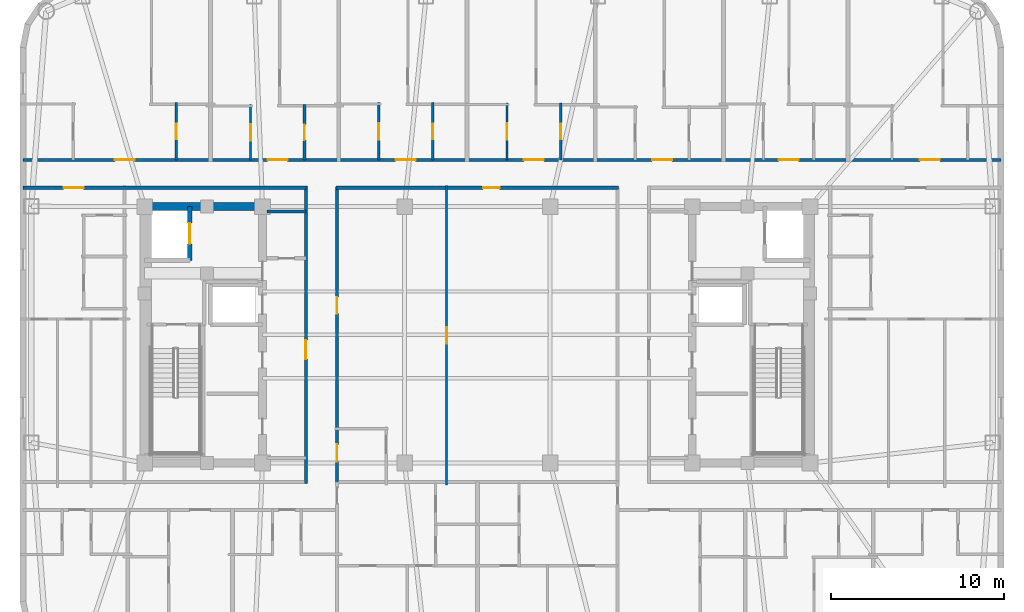
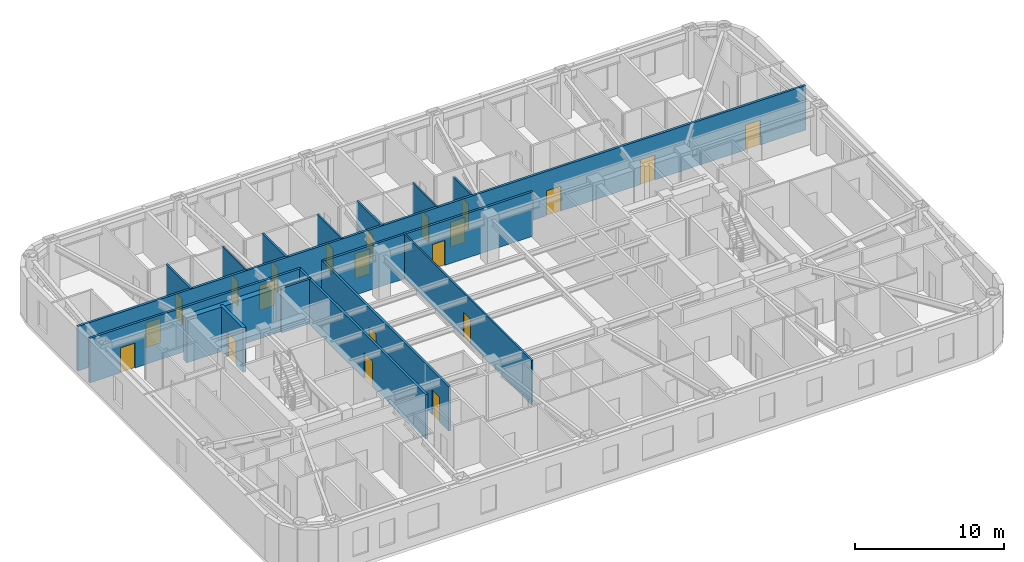
# One storey, part 5 of 11: 21 doors, 16 walls, 21 openings.
"""IFC4 building model written with IfcOpenShell, lengths in metres."""

from ifc_helpers import new_model, si_unit, direction, frame, frame_2d, origin, place, context, subcontext, project, spatial, rectangle, extrude, material, layer, layer_set, type_object, element, fill, save


model = new_model("IFC4")

# Units and contexts
model_context = context("Model", 3, precision=1e-05, world=origin(), true_north=direction((0.0, 1.0)))
body_context = subcontext(model_context, "Body", "Model", "MODEL_VIEW")
ifc_project = project(units=[si_unit("LENGTHUNIT", "METRE"), si_unit("AREAUNIT", "SQUARE_METRE"), si_unit("VOLUMEUNIT", "CUBIC_METRE"), si_unit("PLANEANGLEUNIT", "RADIAN"), si_unit("MASSUNIT", "GRAM", prefix="KILO")], contexts=[model_context])

# Site, building, storey
site_placement = place(None, origin())
site = spatial("IfcSite", under=ifc_project, at=site_placement, CompositionType="ELEMENT")
building_placement = place(site_placement, origin())
building = spatial("IfcBuilding", under=site, at=building_placement, Name="Voryun Gate Residences", CompositionType="ELEMENT")
storey_placement = place(building_placement, frame((0.0, 0.0, 235.300048828125)))
storey = spatial("IfcBuildingStorey", under=building, at=storey_placement, Name="L58", CompositionType="ELEMENT", Elevation=235.300048828125)

# Walls
ifc_material_1 = material(Name="Concrete C50/60", Category="concrete")
ifc_layer_1 = layer(ifc_material_1, 0.449951171875, Name="CW_CORE_450")
ifc_layer_set_1 = layer_set([ifc_layer_1], Name="Concrete C50/60")
wall_type_1 = type_object("IfcWallType", Name="CW_CORE_450", PredefinedType="SHEAR", material=ifc_layer_set_1)
wall_1_placement = place(storey_placement, frame((-19.425048828125, 7.39990234375, 0.0), z_axis=(0.0, 0.0, 1.0), x_axis=(1.0, 0.0, 0.0)))
element("IfcWall", 1, at=wall_1_placement, inside=storey, type_object=wall_type_1, Name="L58 Core shear wall CW-L58-WN", PredefinedType="SHEAR", context=body_context, shape_type="SweptSolid", body=[
    extrude(rectangle(XDim=7.25, YDim=0.449951171875, at=frame_2d((3.625, 0.0))), origin(), (0.0, 0.0, 1.0), 3.64990234375),
])
ifc_material_2 = material(Name="Gypsum acoustic fireboard")
ifc_layer_2 = layer(ifc_material_2, 0.179931640625, Name="W_CORR_RATED_180")
ifc_layer_set_2 = layer_set([ifc_layer_2], Name="Gypsum acoustic fireboard")
wall_type_2 = type_object("IfcWallType", Name="W_CORR_RATED_180", PredefinedType="PARTITIONING", material=ifc_layer_set_2)
wall_2_placement = place(storey_placement, frame((-12.14990234375, 7.1201171875, 0.0), z_axis=(0.0, 0.0, 1.0), x_axis=(1.0, 0.0, 0.0)))
element("IfcWall", 2, at=wall_2_placement, inside=storey, type_object=wall_type_2, Name="Partition wall WP-L58-PLBN-W", PredefinedType="PARTITIONING", context=body_context, shape_type="SweptSolid", body=[
    extrude(rectangle(XDim=2.27001953125, YDim=0.179931640625, at=frame_2d((1.135009765625, 0.0))), origin(), (0.0, 0.0, 1.0), 3.64990234375),
])

# Wall, opening, door
wall_3_placement = place(storey_placement, frame((-9.89990234375, -8.580078125, 0.0), z_axis=(0.0, 0.0, 1.0), x_axis=(0.0, 1.0, 0.0)))
wall_3 = element("IfcWall", 3, at=wall_3_placement, inside=storey, type_object=wall_type_2, Name="Partition wall WP-L58-PLBW-FULL", PredefinedType="PARTITIONING", context=body_context, shape_type="SweptSolid", body=[
    extrude(rectangle(XDim=17.16015625, YDim=0.179931640625, at=frame_2d((8.580078125, 0.0))), origin(), (0.0, 0.0, 1.0), 3.64990234375),
])
opening_1_placement = place(wall_3_placement, frame((7.172119140625, 0.0, 0.0)))
opening_1 = element("IfcOpeningElement", 4, at=opening_1_placement, cuts=wall_3, Name="Opening D-FD60-2", PredefinedType="OPENING", context=body_context, shape_type="SweptSolid", body=[
    extrude(rectangle(XDim=1.10009765625, YDim=2.050048828125, at=frame_2d((0.550048828125, 1.02490234375))), frame((0.0, 0.099853515625, 0.0), z_axis=(0.0, -1.0, 0.0), x_axis=(1.0, 0.0, 0.0)), (0.0, 0.0, 1.0), 0.199951171875),
])
ifc_material_3 = material(Name="Painted steel fire door", Category="steel")
door_type_1 = type_object("IfcDoorType", Name="DR_FD60_FFLOB_1100", OperationType="NOTDEFINED", PredefinedType="DOOR", material=ifc_material_3)
door_1_placement = place(opening_1_placement, origin())
door_1 = element("IfcDoor", 5, at=door_1_placement, inside=storey, type_object=door_type_1, Name="Door DR-L58-PLBW-COR", OperationType="SINGLE_SWING_LEFT", OverallHeight=2.050048828125, OverallWidth=1.10009765625, PredefinedType="DOOR", context=body_context, shape_type="SweptSolid", body=[
    extrude(rectangle(XDim=1.10009765625, YDim=2.050048828125, at=frame_2d((0.550048828125, 1.02490234375))), frame((0.0, 0.02490234375, 0.0), z_axis=(0.0, -1.0, 0.0), x_axis=(1.0, 0.0, 0.0)), (0.0, 0.0, 1.0), 0.050048828125),
])
fill(opening_1, door_1)

wall_4_placement = place(storey_placement, frame((-26.22998046875, 8.489990234375, 0.0), z_axis=(0.0, 0.0, 1.0), x_axis=(1.0, 0.0, 0.0)))
wall_4 = element("IfcWall", 6, at=wall_4_placement, inside=storey, type_object=wall_type_2, Name="Partition wall WP-L58-CWING-WN", PredefinedType="PARTITIONING", context=body_context, shape_type="SweptSolid", body=[
    extrude(rectangle(XDim=16.35009765625, YDim=0.179931640625, at=frame_2d((8.175048828125, 0.0))), origin(), (0.0, 0.0, 1.0), 3.64990234375),
])
opening_2_placement = place(wall_4_placement, frame((2.35009765625, 0.0, 0.0)))
opening_2 = element("IfcOpeningElement", 7, at=opening_2_placement, cuts=wall_4, Name="Opening D-UNIT-1", PredefinedType="OPENING", context=body_context, shape_type="SweptSolid", body=[
    extrude(rectangle(XDim=1.14990234375, YDim=2.050048828125, at=frame_2d((0.574951171875, 1.02490234375))), frame((0.0, 0.099853515625, 0.0), z_axis=(0.0, -1.0, 0.0), x_axis=(1.0, 0.0, 0.0)), (0.0, 0.0, 1.0), 0.199951171875),
])
ifc_material_4 = material(Name="Armoured timber-clad fire door", Category="wood")
door_type_2 = type_object("IfcDoorType", Name="DR_UNIT_ENTRY_1150", OperationType="NOTDEFINED", PredefinedType="DOOR", material=ifc_material_4)
door_2_placement = place(opening_2_placement, origin())
door_2 = element("IfcDoor", 8, at=door_2_placement, inside=storey, type_object=door_type_2, Name="Door DR-L58-WE1N", OperationType="SINGLE_SWING_LEFT", OverallHeight=2.050048828125, OverallWidth=1.14990234375, PredefinedType="DOOR", context=body_context, shape_type="SweptSolid", body=[
    extrude(rectangle(XDim=1.14990234375, YDim=2.050048828125, at=frame_2d((0.574951171875, 1.02490234375))), frame((0.0, 0.02490234375, 0.0), z_axis=(0.0, -1.0, 0.0), x_axis=(1.0, 0.0, 0.0)), (0.0, 0.0, 1.0), 0.050048828125),
])
fill(opening_2, door_2)

wall_5_placement = place(storey_placement, frame((-8.14990234375, 8.489990234375, 0.0), z_axis=(0.0, 0.0, 1.0), x_axis=(1.0, 0.0, 0.0)))
wall_5 = element("IfcWall", 9, at=wall_5_placement, inside=storey, type_object=wall_type_2, Name="Partition wall WP-L58-Z3N", PredefinedType="PARTITIONING", context=body_context, shape_type="SweptSolid", body=[
    extrude(rectangle(XDim=16.2998046875, YDim=0.179931640625, at=frame_2d((8.14990234375, 0.0))), origin(), (0.0, 0.0, 1.0), 3.64990234375),
])
opening_3_placement = place(wall_5_placement, frame((8.489990234375, 0.0, 0.0)))
opening_3 = element("IfcOpeningElement", 10, at=opening_3_placement, cuts=wall_5, Name="Opening D-INT-1", PredefinedType="OPENING", context=body_context, shape_type="SweptSolid", body=[
    extrude(rectangle(XDim=0.949951171875, YDim=2.050048828125, at=frame_2d((0.47509765625, 1.02490234375))), frame((0.0, 0.099853515625, 0.0), z_axis=(0.0, -1.0, 0.0), x_axis=(1.0, 0.0, 0.0)), (0.0, 0.0, 1.0), 0.199951171875),
])
ifc_material_5 = material(Name="Architectural oak veneer")
door_type_3 = type_object("IfcDoorType", Name="DR_INT_ROOM_950", OperationType="NOTDEFINED", PredefinedType="DOOR", material=ifc_material_5)
door_3_placement = place(opening_3_placement, origin())
door_3 = element("IfcDoor", 11, at=door_3_placement, inside=storey, type_object=door_type_3, Name="Door DR-L58-CMIDZ3N", OperationType="SINGLE_SWING_LEFT", OverallHeight=2.050048828125, OverallWidth=0.949951171875, PredefinedType="DOOR", context=body_context, shape_type="SweptSolid", body=[
    extrude(rectangle(XDim=0.949951171875, YDim=2.050048828125, at=frame_2d((0.47509765625, 1.02490234375))), frame((0.0, 0.02490234375, 0.0), z_axis=(0.0, -1.0, 0.0), x_axis=(1.0, 0.0, 0.0)), (0.0, 0.0, 1.0), 0.050048828125),
])
fill(opening_3, door_3)

# Wall, openings, doors
wall_6_placement = place(storey_placement, frame((-8.10009765625, -8.530029296875, 0.0), z_axis=(0.0, 0.0, 1.0), x_axis=(0.0, 1.0, 0.0)))
wall_6 = element("IfcWall", 12, at=wall_6_placement, inside=storey, type_object=wall_type_2, Name="Partition wall WP-L58-Z3W", PredefinedType="PARTITIONING", context=body_context, shape_type="SweptSolid", body=[
    extrude(rectangle(XDim=17.06005859375, YDim=0.179931640625, at=frame_2d((8.530029296875, 0.0))), origin(), (0.0, 0.0, 1.0), 3.64990234375),
])
opening_4_placement = place(wall_6_placement, frame((1.2060546875, 0.0, 0.0)))
opening_4 = element("IfcOpeningElement", 13, at=opening_4_placement, cuts=wall_6, Name="Opening D-AWC-1", PredefinedType="OPENING", context=body_context, shape_type="SweptSolid", body=[
    extrude(rectangle(XDim=1.0, YDim=2.050048828125, at=frame_2d((0.5, 1.02490234375))), frame((0.0, 0.099853515625, 0.0), z_axis=(0.0, -1.0, 0.0), x_axis=(1.0, 0.0, 0.0)), (0.0, 0.0, 1.0), 0.199951171875),
])
opening_5_placement = place(wall_6_placement, frame((9.760986328125, 0.0, 0.0)))
opening_5 = element("IfcOpeningElement", 14, at=opening_5_placement, cuts=wall_6, Name="Opening D-INT-1", PredefinedType="OPENING", context=body_context, shape_type="SweptSolid", body=[
    extrude(rectangle(XDim=0.949951171875, YDim=2.050048828125, at=frame_2d((0.47509765625, 1.02490234375))), frame((0.0, 0.099853515625, 0.0), z_axis=(0.0, -1.0, 0.0), x_axis=(1.0, 0.0, 0.0)), (0.0, 0.0, 1.0), 0.199951171875),
])
ifc_material_6 = material(Name="Architectural oak veneer")
door_type_4 = type_object("IfcDoorType", Name="DR_ACC_WC_1000", OperationType="NOTDEFINED", PredefinedType="DOOR", material=ifc_material_6)
door_4_placement = place(opening_4_placement, origin())
door_4 = element("IfcDoor", 15, at=door_4_placement, inside=storey, type_object=door_type_4, Name="Door DR-L58-CMWC-D", OperationType="SINGLE_SWING_LEFT", OverallHeight=2.050048828125, OverallWidth=1.0, PredefinedType="DOOR", context=body_context, shape_type="SweptSolid", body=[
    extrude(rectangle(XDim=1.0, YDim=2.050048828125, at=frame_2d((0.5, 1.02490234375))), frame((0.0, 0.02490234375, 0.0), z_axis=(0.0, -1.0, 0.0), x_axis=(1.0, 0.0, 0.0)), (0.0, 0.0, 1.0), 0.050048828125),
])
fill(opening_4, door_4)
door_5_placement = place(opening_5_placement, origin())
door_5 = element("IfcDoor", 16, at=door_5_placement, inside=storey, type_object=door_type_3, Name="Door DR-L58-CMIDZ3W", OperationType="SINGLE_SWING_RIGHT", OverallHeight=2.050048828125, OverallWidth=0.949951171875, PredefinedType="DOOR", context=body_context, shape_type="SweptSolid", body=[
    extrude(rectangle(XDim=0.949951171875, YDim=2.050048828125, at=frame_2d((0.47509765625, 1.02490234375))), frame((0.0, 0.02490234375, 0.0), z_axis=(0.0, -1.0, 0.0), x_axis=(1.0, 0.0, 0.0)), (0.0, 0.0, 1.0), 0.050048828125),
])
fill(opening_5, door_5)

wall_7_placement = place(storey_placement, frame((-26.22998046875, 10.10009765625, 0.0), z_axis=(0.0, 0.0, 1.0), x_axis=(1.0, 0.0, 0.0)))
wall_7 = element("IfcWall", 17, at=wall_7_placement, inside=storey, type_object=wall_type_2, Name="Partition wall WP-L58-NCORR", PredefinedType="PARTITIONING", context=body_context, shape_type="SweptSolid", body=[
    extrude(rectangle(XDim=56.4599609375, YDim=0.179931640625, at=frame_2d((28.22998046875, 0.0))), origin(), (0.0, 0.0, 1.0), 3.64990234375),
])
opening_6_placement = place(wall_7_placement, frame((5.302490234375, 0.0, 0.0)))
opening_6 = element("IfcOpeningElement", 18, at=opening_6_placement, cuts=wall_7, Name="Opening D-UNIT-1", PredefinedType="OPENING", context=body_context, shape_type="SweptSolid", body=[
    extrude(rectangle(XDim=1.14990234375, YDim=2.050048828125, at=frame_2d((0.574951171875, 1.02490234375))), frame((0.0, 0.099853515625, 0.0), z_axis=(0.0, -1.0, 0.0), x_axis=(1.0, 0.0, 0.0)), (0.0, 0.0, 1.0), 0.199951171875),
])
opening_7_placement = place(wall_7_placement, frame((14.12158203125, 0.0, 0.0)))
opening_7 = element("IfcOpeningElement", 19, at=opening_7_placement, cuts=wall_7, Name="Opening D-UNIT-1", PredefinedType="OPENING", context=body_context, shape_type="SweptSolid", body=[
    extrude(rectangle(XDim=1.14990234375, YDim=2.050048828125, at=frame_2d((0.574951171875, 1.02490234375))), frame((0.0, 0.099853515625, 0.0), z_axis=(0.0, -1.0, 0.0), x_axis=(1.0, 0.0, 0.0)), (0.0, 0.0, 1.0), 0.199951171875),
])
opening_8_placement = place(wall_7_placement, frame((21.517822265625, 0.0, 0.0)))
opening_8 = element("IfcOpeningElement", 20, at=opening_8_placement, cuts=wall_7, Name="Opening D-UNIT-1", PredefinedType="OPENING", context=body_context, shape_type="SweptSolid", body=[
    extrude(rectangle(XDim=1.14990234375, YDim=2.050048828125, at=frame_2d((0.574951171875, 1.02490234375))), frame((0.0, 0.099853515625, 0.0), z_axis=(0.0, -1.0, 0.0), x_axis=(1.0, 0.0, 0.0)), (0.0, 0.0, 1.0), 0.199951171875),
])
opening_9_placement = place(wall_7_placement, frame((28.919677734375, 0.0, 0.0)))
opening_9 = element("IfcOpeningElement", 21, at=opening_9_placement, cuts=wall_7, Name="Opening D-UNIT-1", PredefinedType="OPENING", context=body_context, shape_type="SweptSolid", body=[
    extrude(rectangle(XDim=1.14990234375, YDim=2.050048828125, at=frame_2d((0.574951171875, 1.02490234375))), frame((0.0, 0.099853515625, 0.0), z_axis=(0.0, -1.0, 0.0), x_axis=(1.0, 0.0, 0.0)), (0.0, 0.0, 1.0), 0.199951171875),
])
opening_10_placement = place(wall_7_placement, frame((36.321533203125, 0.0, 0.0)))
opening_10 = element("IfcOpeningElement", 22, at=opening_10_placement, cuts=wall_7, Name="Opening D-UNIT-1", PredefinedType="OPENING", context=body_context, shape_type="SweptSolid", body=[
    extrude(rectangle(XDim=1.14990234375, YDim=2.050048828125, at=frame_2d((0.574951171875, 1.02490234375))), frame((0.0, 0.099853515625, 0.0), z_axis=(0.0, -1.0, 0.0), x_axis=(1.0, 0.0, 0.0)), (0.0, 0.0, 1.0), 0.199951171875),
])
opening_11_placement = place(wall_7_placement, frame((43.621826171875, 0.0, 0.0)))
opening_11 = element("IfcOpeningElement", 23, at=opening_11_placement, cuts=wall_7, Name="Opening D-UNIT-1", PredefinedType="OPENING", context=body_context, shape_type="SweptSolid", body=[
    extrude(rectangle(XDim=1.14990234375, YDim=2.050048828125, at=frame_2d((0.574951171875, 1.02490234375))), frame((0.0, 0.099853515625, 0.0), z_axis=(0.0, -1.0, 0.0), x_axis=(1.0, 0.0, 0.0)), (0.0, 0.0, 1.0), 0.199951171875),
])
opening_12_placement = place(wall_7_placement, frame((51.780517578125, 0.0, 0.0)))
opening_12 = element("IfcOpeningElement", 24, at=opening_12_placement, cuts=wall_7, Name="Opening D-UNIT-1", PredefinedType="OPENING", context=body_context, shape_type="SweptSolid", body=[
    extrude(rectangle(XDim=1.14990234375, YDim=2.050048828125, at=frame_2d((0.574951171875, 1.02490234375))), frame((0.0, 0.099853515625, 0.0), z_axis=(0.0, -1.0, 0.0), x_axis=(1.0, 0.0, 0.0)), (0.0, 0.0, 1.0), 0.199951171875),
])
door_6_placement = place(opening_6_placement, origin())
door_6 = element("IfcDoor", 25, at=door_6_placement, inside=storey, type_object=door_type_2, Name="Door DR-L58-NENT-1", OperationType="SINGLE_SWING_LEFT", OverallHeight=2.050048828125, OverallWidth=1.14990234375, PredefinedType="DOOR", context=body_context, shape_type="SweptSolid", body=[
    extrude(rectangle(XDim=1.14990234375, YDim=2.050048828125, at=frame_2d((0.574951171875, 1.02490234375))), frame((0.0, 0.02490234375, 0.0), z_axis=(0.0, -1.0, 0.0), x_axis=(1.0, 0.0, 0.0)), (0.0, 0.0, 1.0), 0.050048828125),
])
fill(opening_6, door_6)
door_7_placement = place(opening_7_placement, origin())
door_7 = element("IfcDoor", 26, at=door_7_placement, inside=storey, type_object=door_type_2, Name="Door DR-L58-NENT-2", OperationType="SINGLE_SWING_RIGHT", OverallHeight=2.050048828125, OverallWidth=1.14990234375, PredefinedType="DOOR", context=body_context, shape_type="SweptSolid", body=[
    extrude(rectangle(XDim=1.14990234375, YDim=2.050048828125, at=frame_2d((0.574951171875, 1.02490234375))), frame((0.0, 0.02490234375, 0.0), z_axis=(0.0, -1.0, 0.0), x_axis=(1.0, 0.0, 0.0)), (0.0, 0.0, 1.0), 0.050048828125),
])
fill(opening_7, door_7)
door_8_placement = place(opening_8_placement, origin())
door_8 = element("IfcDoor", 27, at=door_8_placement, inside=storey, type_object=door_type_2, Name="Door DR-L58-NENT-3", OperationType="SINGLE_SWING_LEFT", OverallHeight=2.050048828125, OverallWidth=1.14990234375, PredefinedType="DOOR", context=body_context, shape_type="SweptSolid", body=[
    extrude(rectangle(XDim=1.14990234375, YDim=2.050048828125, at=frame_2d((0.574951171875, 1.02490234375))), frame((0.0, 0.02490234375, 0.0), z_axis=(0.0, -1.0, 0.0), x_axis=(1.0, 0.0, 0.0)), (0.0, 0.0, 1.0), 0.050048828125),
])
fill(opening_8, door_8)
door_9_placement = place(opening_9_placement, origin())
door_9 = element("IfcDoor", 28, at=door_9_placement, inside=storey, type_object=door_type_2, Name="Door DR-L58-NENT-4", OperationType="SINGLE_SWING_RIGHT", OverallHeight=2.050048828125, OverallWidth=1.14990234375, PredefinedType="DOOR", context=body_context, shape_type="SweptSolid", body=[
    extrude(rectangle(XDim=1.14990234375, YDim=2.050048828125, at=frame_2d((0.574951171875, 1.02490234375))), frame((0.0, 0.02490234375, 0.0), z_axis=(0.0, -1.0, 0.0), x_axis=(1.0, 0.0, 0.0)), (0.0, 0.0, 1.0), 0.050048828125),
])
fill(opening_9, door_9)
door_10_placement = place(opening_10_placement, origin())
door_10 = element("IfcDoor", 29, at=door_10_placement, inside=storey, type_object=door_type_2, Name="Door DR-L58-NENT-5", OperationType="SINGLE_SWING_LEFT", OverallHeight=2.050048828125, OverallWidth=1.14990234375, PredefinedType="DOOR", context=body_context, shape_type="SweptSolid", body=[
    extrude(rectangle(XDim=1.14990234375, YDim=2.050048828125, at=frame_2d((0.574951171875, 1.02490234375))), frame((0.0, 0.02490234375, 0.0), z_axis=(0.0, -1.0, 0.0), x_axis=(1.0, 0.0, 0.0)), (0.0, 0.0, 1.0), 0.050048828125),
])
fill(opening_10, door_10)
door_11_placement = place(opening_11_placement, origin())
door_11 = element("IfcDoor", 30, at=door_11_placement, inside=storey, type_object=door_type_2, Name="Door DR-L58-NENT-6", OperationType="SINGLE_SWING_RIGHT", OverallHeight=2.050048828125, OverallWidth=1.14990234375, PredefinedType="DOOR", context=body_context, shape_type="SweptSolid", body=[
    extrude(rectangle(XDim=1.14990234375, YDim=2.050048828125, at=frame_2d((0.574951171875, 1.02490234375))), frame((0.0, 0.02490234375, 0.0), z_axis=(0.0, -1.0, 0.0), x_axis=(1.0, 0.0, 0.0)), (0.0, 0.0, 1.0), 0.050048828125),
])
fill(opening_11, door_11)
door_12_placement = place(opening_12_placement, origin())
door_12 = element("IfcDoor", 31, at=door_12_placement, inside=storey, type_object=door_type_2, Name="Door DR-L58-NENT-7", OperationType="SINGLE_SWING_LEFT", OverallHeight=2.050048828125, OverallWidth=1.14990234375, PredefinedType="DOOR", context=body_context, shape_type="SweptSolid", body=[
    extrude(rectangle(XDim=1.14990234375, YDim=2.050048828125, at=frame_2d((0.574951171875, 1.02490234375))), frame((0.0, 0.02490234375, 0.0), z_axis=(0.0, -1.0, 0.0), x_axis=(1.0, 0.0, 0.0)), (0.0, 0.0, 1.0), 0.050048828125),
])
fill(opening_12, door_12)

# Wall, opening, door
ifc_material_7 = material(Name="Concrete C50/60", Category="concrete")
ifc_layer_3 = layer(ifc_material_7, 0.25, Name="W_SHAFT_RC250")
ifc_layer_set_3 = layer_set([ifc_layer_3], Name="Concrete C50/60")
wall_type_3 = type_object("IfcWallType", Name="W_SHAFT_RC250", PredefinedType="SOLIDWALL", material=ifc_layer_set_3)
wall_8_placement = place(storey_placement, frame((-16.60009765625, 4.300048828125, 0.0), z_axis=(0.0, 0.0, 1.0), x_axis=(0.0, 1.0, 0.0)))
wall_8 = element("IfcWall", 32, at=wall_8_placement, inside=storey, type_object=wall_type_3, Name="Lift shaft wall WSH-L58-EL-FF-W1-E", PredefinedType="SOLIDWALL", context=body_context, shape_type="SweptSolid", body=[
    extrude(rectangle(XDim=3.099853515625, YDim=0.25, at=frame_2d((1.5498046875, 0.0))), origin(), (0.0, 0.0, 1.0), 3.64990234375),
])
opening_13_placement = place(wall_8_placement, frame((0.949951171875, 0.0, 0.0)))
opening_13 = element("IfcOpeningElement", 33, at=opening_13_placement, cuts=wall_8, Name="Opening LD1", PredefinedType="OPENING", context=body_context, shape_type="SweptSolid", body=[
    extrude(rectangle(XDim=1.199951171875, YDim=2.050048828125, at=frame_2d((0.60009765625, 1.02490234375))), frame((0.0, 0.135009765625, 0.0), z_axis=(0.0, -1.0, 0.0), x_axis=(1.0, 0.0, 0.0)), (0.0, 0.0, 1.0), 0.27001953125),
])
ifc_material_8 = material(Name="Anodised aluminium", Category="aluminium")
door_type_5 = type_object("IfcDoorType", Name="DR_LD_FF_1200", OperationType="NOTDEFINED", PredefinedType="DOOR", material=ifc_material_8)
door_13_placement = place(opening_13_placement, origin())
door_13 = element("IfcDoor", 34, at=door_13_placement, inside=storey, type_object=door_type_5, Name="Lift EL-FF-W1 sliding landing door L58", OperationType="SLIDING_TO_LEFT", OverallHeight=2.050048828125, OverallWidth=1.199951171875, PredefinedType="DOOR", context=body_context, shape_type="SweptSolid", body=[
    extrude(rectangle(XDim=1.199951171875, YDim=2.050048828125, at=frame_2d((0.60009765625, 1.02490234375))), frame((0.0, 0.02490234375, 0.0), z_axis=(0.0, -1.0, 0.0), x_axis=(1.0, 0.0, 0.0)), (0.0, 0.0, 1.0), 0.050048828125),
])
fill(opening_13, door_13)

ifc_material_9 = material(Name="Gypsum acoustic partition")
ifc_layer_4 = layer(ifc_material_9, 0.125, Name="W_UNIT_PART_125")
ifc_layer_set_4 = layer_set([ifc_layer_4], Name="Gypsum acoustic partition")
wall_type_4 = type_object("IfcWallType", Name="W_UNIT_PART_125", PredefinedType="PARTITIONING", material=ifc_layer_set_4)
wall_9_placement = place(storey_placement, frame((-1.77294921875, -8.669921875, 0.0), z_axis=(0.0, 0.0, 1.0), x_axis=(0.0, 1.0, 0.0)))
wall_9 = element("IfcWall", 35, at=wall_9_placement, inside=storey, type_object=wall_type_4, Name="Partition wall WP-L58-MIDX-0", PredefinedType="PARTITIONING", context=body_context, shape_type="SweptSolid", body=[
    extrude(rectangle(XDim=17.2900390625, YDim=0.125, at=frame_2d((8.64501953125, 0.0))), origin(), (0.0, 0.0, 1.0), 3.64990234375),
])
opening_14_placement = place(wall_9_placement, frame((8.169921875, 0.0, 0.0)))
opening_14 = element("IfcOpeningElement", 36, at=opening_14_placement, cuts=wall_9, Name="Opening D-INT-1", PredefinedType="OPENING", context=body_context, shape_type="SweptSolid", body=[
    extrude(rectangle(XDim=0.949951171875, YDim=2.050048828125, at=frame_2d((0.47509765625, 1.02490234375))), frame((0.0, 0.072509765625, 0.0), z_axis=(0.0, -1.0, 0.0), x_axis=(1.0, 0.0, 0.0)), (0.0, 0.0, 1.0), 0.14501953125),
])
door_14_placement = place(opening_14_placement, origin())
door_14 = element("IfcDoor", 37, at=door_14_placement, inside=storey, type_object=door_type_3, Name="Door DR-L58-MIDX-0", OperationType="SINGLE_SWING_LEFT", OverallHeight=2.050048828125, OverallWidth=0.949951171875, PredefinedType="DOOR", context=body_context, shape_type="SweptSolid", body=[
    extrude(rectangle(XDim=0.949951171875, YDim=2.050048828125, at=frame_2d((0.47509765625, 1.02490234375))), frame((0.0, 0.02490234375, 0.0), z_axis=(0.0, -1.0, 0.0), x_axis=(1.0, 0.0, 0.0)), (0.0, 0.0, 1.0), 0.050048828125),
])
fill(opening_14, door_14)

wall_10_placement = place(storey_placement, frame((-13.090087890625, 10.080078125, 0.0), z_axis=(0.0, 0.0, 1.0), x_axis=(0.0, 1.0, 0.0)))
wall_10 = element("IfcWall", 38, at=wall_10_placement, inside=storey, type_object=wall_type_4, Name="Partition wall WP-L58-N2-IVK", PredefinedType="PARTITIONING", context=body_context, shape_type="SweptSolid", body=[
    extrude(rectangle(XDim=3.218994140625, YDim=0.125, at=frame_2d((1.609375, 0.0))), origin(), (0.0, 0.0, 1.0), 3.64990234375),
])
opening_15_placement = place(wall_10_placement, frame((1.134521484375, 0.0, 0.0)))
opening_15 = element("IfcOpeningElement", 39, at=opening_15_placement, cuts=wall_10, Name="Opening D-INT-1", PredefinedType="OPENING", context=body_context, shape_type="SweptSolid", body=[
    extrude(rectangle(XDim=0.949951171875, YDim=2.050048828125, at=frame_2d((0.47509765625, 1.02490234375))), frame((0.0, 0.072509765625, 0.0), z_axis=(0.0, -1.0, 0.0), x_axis=(1.0, 0.0, 0.0)), (0.0, 0.0, 1.0), 0.14501953125),
])
door_15_placement = place(opening_15_placement, origin())
door_15 = element("IfcDoor", 40, at=door_15_placement, inside=storey, type_object=door_type_3, Name="Door DR-L58-N2-DK", OperationType="SINGLE_SWING_LEFT", OverallHeight=2.050048828125, OverallWidth=0.949951171875, PredefinedType="DOOR", context=body_context, shape_type="SweptSolid", body=[
    extrude(rectangle(XDim=0.949951171875, YDim=2.050048828125, at=frame_2d((0.47509765625, 1.02490234375))), frame((0.0, 0.02490234375, 0.0), z_axis=(0.0, -1.0, 0.0), x_axis=(1.0, 0.0, 0.0)), (0.0, 0.0, 1.0), 0.050048828125),
])
fill(opening_15, door_15)

wall_11_placement = place(storey_placement, frame((-5.68994140625, 10.080078125, 0.0), z_axis=(0.0, 0.0, 1.0), x_axis=(0.0, 1.0, 0.0)))
wall_11 = element("IfcWall", 41, at=wall_11_placement, inside=storey, type_object=wall_type_4, Name="Partition wall WP-L58-N3-IVK", PredefinedType="PARTITIONING", context=body_context, shape_type="SweptSolid", body=[
    extrude(rectangle(XDim=3.31982421875, YDim=0.125, at=frame_2d((1.659912109375, 0.0))), origin(), (0.0, 0.0, 1.0), 3.64990234375),
])
opening_16_placement = place(wall_11_placement, frame((1.18505859375, 0.0, 0.0)))
opening_16 = element("IfcOpeningElement", 42, at=opening_16_placement, cuts=wall_11, Name="Opening D-INT-1", PredefinedType="OPENING", context=body_context, shape_type="SweptSolid", body=[
    extrude(rectangle(XDim=0.949951171875, YDim=2.050048828125, at=frame_2d((0.47509765625, 1.02490234375))), frame((0.0, 0.072509765625, 0.0), z_axis=(0.0, -1.0, 0.0), x_axis=(1.0, 0.0, 0.0)), (0.0, 0.0, 1.0), 0.14501953125),
])
door_16_placement = place(opening_16_placement, origin())
door_16 = element("IfcDoor", 43, at=door_16_placement, inside=storey, type_object=door_type_3, Name="Door DR-L58-N3-DK", OperationType="SINGLE_SWING_LEFT", OverallHeight=2.050048828125, OverallWidth=0.949951171875, PredefinedType="DOOR", context=body_context, shape_type="SweptSolid", body=[
    extrude(rectangle(XDim=0.949951171875, YDim=2.050048828125, at=frame_2d((0.47509765625, 1.02490234375))), frame((0.0, 0.02490234375, 0.0), z_axis=(0.0, -1.0, 0.0), x_axis=(1.0, 0.0, 0.0)), (0.0, 0.0, 1.0), 0.050048828125),
])
fill(opening_16, door_16)

wall_12_placement = place(storey_placement, frame((1.7099609375, 10.080078125, 0.0), z_axis=(0.0, 0.0, 1.0), x_axis=(0.0, 1.0, 0.0)))
wall_12 = element("IfcWall", 44, at=wall_12_placement, inside=storey, type_object=wall_type_4, Name="Partition wall WP-L58-N4-IVK", PredefinedType="PARTITIONING", context=body_context, shape_type="SweptSolid", body=[
    extrude(rectangle(XDim=3.29296875, YDim=0.125, at=frame_2d((1.646484375, 0.0))), origin(), (0.0, 0.0, 1.0), 3.64990234375),
])
opening_17_placement = place(wall_12_placement, frame((1.17138671875, 0.0, 0.0)))
opening_17 = element("IfcOpeningElement", 45, at=opening_17_placement, cuts=wall_12, Name="Opening D-INT-1", PredefinedType="OPENING", context=body_context, shape_type="SweptSolid", body=[
    extrude(rectangle(XDim=0.949951171875, YDim=2.050048828125, at=frame_2d((0.47509765625, 1.02490234375))), frame((0.0, 0.072509765625, 0.0), z_axis=(0.0, -1.0, 0.0), x_axis=(1.0, 0.0, 0.0)), (0.0, 0.0, 1.0), 0.14501953125),
])
door_17_placement = place(opening_17_placement, origin())
door_17 = element("IfcDoor", 46, at=door_17_placement, inside=storey, type_object=door_type_3, Name="Door DR-L58-N4-DK", OperationType="SINGLE_SWING_LEFT", OverallHeight=2.050048828125, OverallWidth=0.949951171875, PredefinedType="DOOR", context=body_context, shape_type="SweptSolid", body=[
    extrude(rectangle(XDim=0.949951171875, YDim=2.050048828125, at=frame_2d((0.47509765625, 1.02490234375))), frame((0.0, 0.02490234375, 0.0), z_axis=(0.0, -1.0, 0.0), x_axis=(1.0, 0.0, 0.0)), (0.0, 0.0, 1.0), 0.050048828125),
])
fill(opening_17, door_17)

ifc_material_10 = material(Name="Gypsum moisture-resistant partition")
ifc_layer_5 = layer(ifc_material_10, 0.14990234375, Name="W_WET_PLUMB_150")
ifc_layer_set_5 = layer_set([ifc_layer_5], Name="Gypsum moisture-resistant partition")
wall_type_5 = type_object("IfcWallType", Name="W_WET_PLUMB_150", PredefinedType="PLUMBINGWALL", material=ifc_layer_set_5)
wall_13_placement = place(storey_placement, frame((-17.3798828125, 10.080078125, 0.0), z_axis=(0.0, 0.0, 1.0), x_axis=(0.0, 1.0, 0.0)))
wall_13 = element("IfcWall", 47, at=wall_13_placement, inside=storey, type_object=wall_type_5, Name="Partition wall WP-L58-N1-IVB", PredefinedType="PLUMBINGWALL", context=body_context, shape_type="SweptSolid", body=[
    extrude(rectangle(XDim=3.31982421875, YDim=0.14990234375, at=frame_2d((1.659912109375, 0.0))), origin(), (0.0, 0.0, 1.0), 3.64990234375),
])
opening_18_placement = place(wall_13_placement, frame((1.2099609375, 0.0, 0.0)))
opening_18 = element("IfcOpeningElement", 48, at=opening_18_placement, cuts=wall_13, Name="Opening D-INT-2", PredefinedType="OPENING", context=body_context, shape_type="SweptSolid", body=[
    extrude(rectangle(XDim=0.89990234375, YDim=2.050048828125, at=frame_2d((0.449951171875, 1.02490234375))), frame((0.0, 0.0849609375, 0.0), z_axis=(0.0, -1.0, 0.0), x_axis=(1.0, 0.0, 0.0)), (0.0, 0.0, 1.0), 0.169921875),
])
ifc_material_11 = material(Name="Architectural oak veneer")
door_type_6 = type_object("IfcDoorType", Name="DR_INT_BATH_900", OperationType="NOTDEFINED", PredefinedType="DOOR", material=ifc_material_11)
door_18_placement = place(opening_18_placement, origin())
door_18 = element("IfcDoor", 49, at=door_18_placement, inside=storey, type_object=door_type_6, Name="Door DR-L58-N1-DB", OperationType="SINGLE_SWING_RIGHT", OverallHeight=2.050048828125, OverallWidth=0.89990234375, PredefinedType="DOOR", context=body_context, shape_type="SweptSolid", body=[
    extrude(rectangle(XDim=0.89990234375, YDim=2.050048828125, at=frame_2d((0.449951171875, 1.02490234375))), frame((0.0, 0.02490234375, 0.0), z_axis=(0.0, -1.0, 0.0), x_axis=(1.0, 0.0, 0.0)), (0.0, 0.0, 1.0), 0.050048828125),
])
fill(opening_18, door_18)

wall_14_placement = place(storey_placement, frame((-9.97998046875, 10.080078125, 0.0), z_axis=(0.0, 0.0, 1.0), x_axis=(0.0, 1.0, 0.0)))
wall_14 = element("IfcWall", 50, at=wall_14_placement, inside=storey, type_object=wall_type_5, Name="Partition wall WP-L58-N2-IVB", PredefinedType="PLUMBINGWALL", context=body_context, shape_type="SweptSolid", body=[
    extrude(rectangle(XDim=3.218994140625, YDim=0.14990234375, at=frame_2d((1.609375, 0.0))), origin(), (0.0, 0.0, 1.0), 3.64990234375),
])
opening_19_placement = place(wall_14_placement, frame((1.159423828125, 0.0, 0.0)))
opening_19 = element("IfcOpeningElement", 51, at=opening_19_placement, cuts=wall_14, Name="Opening D-INT-2", PredefinedType="OPENING", context=body_context, shape_type="SweptSolid", body=[
    extrude(rectangle(XDim=0.89990234375, YDim=2.050048828125, at=frame_2d((0.449951171875, 1.02490234375))), frame((0.0, 0.0849609375, 0.0), z_axis=(0.0, -1.0, 0.0), x_axis=(1.0, 0.0, 0.0)), (0.0, 0.0, 1.0), 0.169921875),
])
door_19_placement = place(opening_19_placement, origin())
door_19 = element("IfcDoor", 52, at=door_19_placement, inside=storey, type_object=door_type_6, Name="Door DR-L58-N2-DB", OperationType="SINGLE_SWING_RIGHT", OverallHeight=2.050048828125, OverallWidth=0.89990234375, PredefinedType="DOOR", context=body_context, shape_type="SweptSolid", body=[
    extrude(rectangle(XDim=0.89990234375, YDim=2.050048828125, at=frame_2d((0.449951171875, 1.02490234375))), frame((0.0, 0.02490234375, 0.0), z_axis=(0.0, -1.0, 0.0), x_axis=(1.0, 0.0, 0.0)), (0.0, 0.0, 1.0), 0.050048828125),
])
fill(opening_19, door_19)

wall_15_placement = place(storey_placement, frame((-2.580078125, 10.080078125, 0.0), z_axis=(0.0, 0.0, 1.0), x_axis=(0.0, 1.0, 0.0)))
wall_15 = element("IfcWall", 53, at=wall_15_placement, inside=storey, type_object=wall_type_5, Name="Partition wall WP-L58-N3-IVB", PredefinedType="PLUMBINGWALL", context=body_context, shape_type="SweptSolid", body=[
    extrude(rectangle(XDim=3.31982421875, YDim=0.14990234375, at=frame_2d((1.659912109375, 0.0))), origin(), (0.0, 0.0, 1.0), 3.64990234375),
])
opening_20_placement = place(wall_15_placement, frame((1.2099609375, 0.0, 0.0)))
opening_20 = element("IfcOpeningElement", 54, at=opening_20_placement, cuts=wall_15, Name="Opening D-INT-2", PredefinedType="OPENING", context=body_context, shape_type="SweptSolid", body=[
    extrude(rectangle(XDim=0.89990234375, YDim=2.050048828125, at=frame_2d((0.449951171875, 1.02490234375))), frame((0.0, 0.0849609375, 0.0), z_axis=(0.0, -1.0, 0.0), x_axis=(1.0, 0.0, 0.0)), (0.0, 0.0, 1.0), 0.169921875),
])
door_20_placement = place(opening_20_placement, origin())
door_20 = element("IfcDoor", 55, at=door_20_placement, inside=storey, type_object=door_type_6, Name="Door DR-L58-N3-DB", OperationType="SINGLE_SWING_RIGHT", OverallHeight=2.050048828125, OverallWidth=0.89990234375, PredefinedType="DOOR", context=body_context, shape_type="SweptSolid", body=[
    extrude(rectangle(XDim=0.89990234375, YDim=2.050048828125, at=frame_2d((0.449951171875, 1.02490234375))), frame((0.0, 0.02490234375, 0.0), z_axis=(0.0, -1.0, 0.0), x_axis=(1.0, 0.0, 0.0)), (0.0, 0.0, 1.0), 0.050048828125),
])
fill(opening_20, door_20)

wall_16_placement = place(storey_placement, frame((4.820068359375, 10.080078125, 0.0), z_axis=(0.0, 0.0, 1.0), x_axis=(0.0, 1.0, 0.0)))
wall_16 = element("IfcWall", 56, at=wall_16_placement, inside=storey, type_object=wall_type_5, Name="Partition wall WP-L58-N4-IVB", PredefinedType="PLUMBINGWALL", context=body_context, shape_type="SweptSolid", body=[
    extrude(rectangle(XDim=3.29296875, YDim=0.14990234375, at=frame_2d((1.646484375, 0.0))), origin(), (0.0, 0.0, 1.0), 3.08984375),
])
opening_21_placement = place(wall_16_placement, frame((1.196533203125, 0.0, 0.0)))
opening_21 = element("IfcOpeningElement", 57, at=opening_21_placement, cuts=wall_16, Name="Opening D-INT-2", PredefinedType="OPENING", context=body_context, shape_type="SweptSolid", body=[
    extrude(rectangle(XDim=0.89990234375, YDim=2.050048828125, at=frame_2d((0.449951171875, 1.02490234375))), frame((0.0, 0.0849609375, 0.0), z_axis=(0.0, -1.0, 0.0), x_axis=(1.0, 0.0, 0.0)), (0.0, 0.0, 1.0), 0.169921875),
])
door_21_placement = place(opening_21_placement, origin())
door_21 = element("IfcDoor", 58, at=door_21_placement, inside=storey, type_object=door_type_6, Name="Door DR-L58-N4-DB", OperationType="SINGLE_SWING_RIGHT", OverallHeight=2.050048828125, OverallWidth=0.89990234375, PredefinedType="DOOR", context=body_context, shape_type="SweptSolid", body=[
    extrude(rectangle(XDim=0.89990234375, YDim=2.050048828125, at=frame_2d((0.449951171875, 1.02490234375))), frame((0.0, 0.02490234375, 0.0), z_axis=(0.0, -1.0, 0.0), x_axis=(1.0, 0.0, 0.0)), (0.0, 0.0, 1.0), 0.050048828125),
])
fill(opening_21, door_21)

save(model, "model.ifc")
